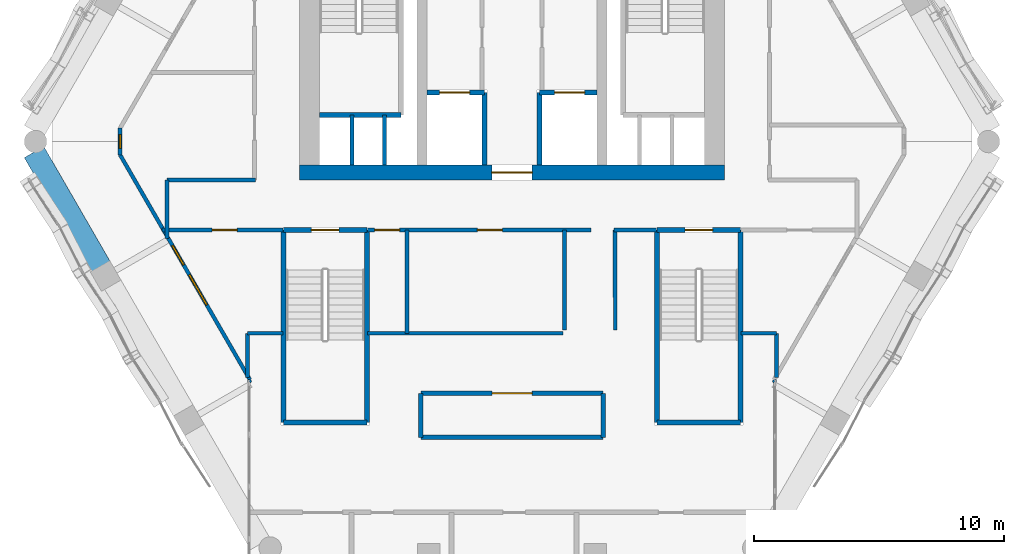
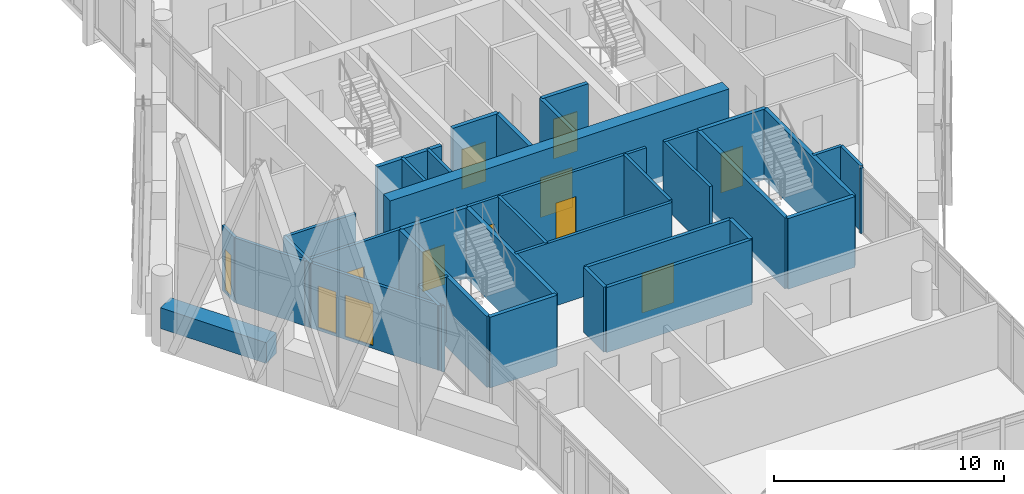
# One storey, part 29 of 37: 38 walls, 9 doors, 3 windows, 12 openings.
"""IFC4 building model written with IfcOpenShell, lengths in metres."""

from ifc_helpers import new_model, si_unit, direction, frame, frame_2d, origin, place, context, subcontext, project, spatial, rectangle, extrude, material, layer, layer_set, type_object, element, fill, save


model = new_model("IFC4")

# Units and contexts
model_context = context("Model", 3, precision=1e-05, world=origin(), true_north=direction((0.0, 1.0)))
body_context = subcontext(model_context, "Body", "Model", "MODEL_VIEW")
ifc_project = project(units=[si_unit("LENGTHUNIT", "METRE"), si_unit("AREAUNIT", "SQUARE_METRE"), si_unit("VOLUMEUNIT", "CUBIC_METRE"), si_unit("PLANEANGLEUNIT", "RADIAN"), si_unit("MASSUNIT", "GRAM", prefix="KILO")], contexts=[model_context])

# Site, building, storey
site_placement = place(None, origin())
site = spatial("IfcSite", under=ifc_project, at=site_placement, CompositionType="ELEMENT")
building_placement = place(site_placement, origin())
building = spatial("IfcBuilding", under=site, at=building_placement, Name="Ostrander Bayou Hotel Tower", CompositionType="ELEMENT")
storey_placement = place(building_placement, frame((0.0, 0.0, 225.75)))
storey = spatial("IfcBuildingStorey", under=building, at=storey_placement, Name="L56", CompositionType="ELEMENT", Elevation=225.75)

# Wall, opening, door
ifc_material_1 = material(Name="Concrete f'c 60 MPa", Category="concrete")
ifc_layer_1 = layer(ifc_material_1, 0.60009765625)
ifc_layer_set_1 = layer_set([ifc_layer_1], Name="CW10 core wall 600 mm f'c 60 MPa")
wall_type_1 = type_object("IfcWallType", Name="CW10 core wall 600 mm f'c 60 MPa", PredefinedType="SHEAR", material=ifc_layer_set_1)
wall_1_placement = place(storey_placement, frame((-8.5, -1.39990234375, -0.300048828125), z_axis=(0.0, 0.0, 1.0), x_axis=(1.0, 0.0, 0.0)))
wall_1 = element("IfcWall", 1, at=wall_1_placement, inside=storey, type_object=wall_type_1, Name="CW10 L56 S", PredefinedType="SHEAR", context=body_context, shape_type="SweptSolid", body=[
    extrude(rectangle(XDim=17.0, YDim=0.60009765625, at=frame_2d((8.5, 0.0))), origin(), (0.0, 0.0, 1.0), 3.75),
])
opening_1_placement = place(wall_1_placement, frame((7.699951171875, 0.0, 0.0)))
opening_1 = element("IfcOpeningElement", 2, at=opening_1_placement, cuts=wall_1, Name="Opening T55-005", PredefinedType="OPENING", context=body_context, shape_type="SweptSolid", body=[
    extrude(rectangle(XDim=1.60009765625, YDim=2.10009765625, at=frame_2d((0.800048828125, 1.050048828125))), frame((0.0, 0.300048828125, 0.0), z_axis=(0.0, -1.0, 0.0), x_axis=(1.0, 0.0, 0.0)), (0.0, 0.0, 1.0), 0.60009765625),
])
ifc_material_2 = material(Name="Timber door leaf", Category="wood")
door_type_1 = type_object("IfcDoorType", Name="D13 double door 1600 x 2100 mm, 1 hour", OperationType="SINGLE_SWING_LEFT", PredefinedType="DOOR", material=ifc_material_2)
door_1_placement = place(opening_1_placement, origin())
door_1 = element("IfcDoor", 3, at=door_1_placement, inside=storey, type_object=door_type_1, Name="dr:L56:005", OperationType="DOUBLE_DOOR_SINGLE_SWING", OverallHeight=2.10009765625, OverallWidth=1.60009765625, PredefinedType="DOOR", context=body_context, shape_type="SweptSolid", body=[
    extrude(rectangle(XDim=1.60009765625, YDim=2.10009765625, at=frame_2d((0.800048828125, 1.050048828125))), frame((0.0, 0.02490234375, 0.0), z_axis=(0.0, -1.0, 0.0), x_axis=(1.0, 0.0, 0.0)), (0.0, 0.0, 1.0), 0.050048828125),
])
fill(opening_1, door_1)

# Wall, openings, windows
ifc_material_3 = material(Name="Aluminium framed insulated wall", Category="aluminium")
ifc_layer_2 = layer(ifc_material_3, 0.14990234375)
ifc_layer_set_2 = layer_set([ifc_layer_2], Name="GW1 glass-line wall 150 mm")
wall_type_2 = type_object("IfcWallType", Name="GW1 glass-line wall 150 mm", PredefinedType="SOLIDWALL", material=ifc_layer_set_2)
wall_2_placement = place(storey_placement, frame((-15.67724609375, -0.6962890625, 0.0), z_axis=(0.0, 0.0, 1.0), x_axis=(0.49999822861, -0.866026426494, 0.0)))
wall_2 = element("IfcWall", 4, at=wall_2_placement, inside=storey, type_object=wall_type_2, Name="GW1 L56 SW 1", PredefinedType="SOLIDWALL", context=body_context, shape_type="SweptSolid", body=[
    extrude(rectangle(XDim=10.396484375, YDim=0.14990234375, at=frame_2d((5.1982421875, 0.0))), origin(), (0.0, 0.0, 1.0), 3.449951171875),
])
opening_2_placement = place(wall_2_placement, frame((4.182861328125, 0.0, 0.14990234375)))
opening_2 = element("IfcOpeningElement", 5, at=opening_2_placement, cuts=wall_2, Name="Opening W18", PredefinedType="OPENING", context=body_context, shape_type="SweptSolid", body=[
    extrude(rectangle(XDim=0.89990234375, YDim=2.199951171875, at=frame_2d((0.449951171875, 1.10009765625))), frame((0.0, 0.074951171875, 0.0), z_axis=(0.0, -1.0, 0.0), x_axis=(1.0, 0.0, 0.0)), (0.0, 0.0, 1.0), 0.14990234375),
])
opening_3_placement = place(wall_2_placement, frame((5.535888671875, 0.0, 0.14990234375)))
opening_3 = element("IfcOpeningElement", 6, at=opening_3_placement, cuts=wall_2, Name="Opening W14", PredefinedType="OPENING", context=body_context, shape_type="SweptSolid", body=[
    extrude(rectangle(XDim=1.39990234375, YDim=2.199951171875, at=frame_2d((0.699951171875, 1.10009765625))), frame((0.0, 0.074951171875, 0.0), z_axis=(0.0, -1.0, 0.0), x_axis=(1.0, 0.0, 0.0)), (0.0, 0.0, 1.0), 0.14990234375),
])
ifc_material_4 = material(Name="Aluminium and clear glass", Category="aluminium")
window_type_1 = type_object("IfcWindowType", Name="W14 fixed window 1400 mm, bath bay, zone 4", PartitioningType="SINGLE_PANEL", PredefinedType="WINDOW", material=ifc_material_4)
window_1_placement = place(opening_3_placement, origin())
window_1 = element("IfcWindow", 7, at=window_1_placement, inside=storey, type_object=window_type_1, Name="W14 L56 SW 1", OverallHeight=2.199951171875, OverallWidth=1.39990234375, PartitioningType="SINGLE_PANEL", PredefinedType="WINDOW", context=body_context, shape_type="SweptSolid", body=[
    extrude(rectangle(XDim=1.39990234375, YDim=2.199951171875, at=frame_2d((0.699951171875, 1.10009765625))), frame((0.0, 0.030029296875, 0.0), z_axis=(0.0, -1.0, 0.0), x_axis=(1.0, 0.0, 0.0)), (0.0, 0.0, 1.0), 0.06005859375),
])
fill(opening_3, window_1)
ifc_material_5 = material(Name="Aluminium and clear glass", Category="aluminium")
window_type_2 = type_object("IfcWindowType", Name="W18 window 900 mm, zone 4", PartitioningType="SINGLE_PANEL", PredefinedType="WINDOW", material=ifc_material_5)
window_2_placement = place(opening_2_placement, origin())
window_2 = element("IfcWindow", 8, at=window_2_placement, inside=storey, type_object=window_type_2, Name="W18 L56 SW 1", OverallHeight=2.199951171875, OverallWidth=0.89990234375, PartitioningType="SINGLE_PANEL", PredefinedType="WINDOW", context=body_context, shape_type="SweptSolid", body=[
    extrude(rectangle(XDim=0.89990234375, YDim=2.199951171875, at=frame_2d((0.449951171875, 1.10009765625))), frame((0.0, 0.030029296875, 0.0), z_axis=(0.0, -1.0, 0.0), x_axis=(1.0, 0.0, 0.0)), (0.0, 0.0, 1.0), 0.06005859375),
])
fill(opening_2, window_2)

# Wall, opening, window
wall_3_placement = place(storey_placement, frame((-15.67724609375, 0.368896484375, 0.0), z_axis=(0.0, 0.0, 1.0), x_axis=(0.0, -1.0, 0.0)))
wall_3 = element("IfcWall", 9, at=wall_3_placement, inside=storey, type_object=wall_type_2, Name="GW1 L56 corner 2", PredefinedType="SOLIDWALL", context=body_context, shape_type="SweptSolid", body=[
    extrude(rectangle(XDim=1.065185546875, YDim=0.14990234375, at=frame_2d((0.53271484375, 0.0))), origin(), (0.0, 0.0, 1.0), 3.449951171875),
])
opening_4_placement = place(wall_3_placement, frame((0.257568359375, 0.0, 0.14990234375)))
opening_4 = element("IfcOpeningElement", 10, at=opening_4_placement, cuts=wall_3, Name="Opening W19", PredefinedType="OPENING", context=body_context, shape_type="SweptSolid", body=[
    extrude(rectangle(XDim=0.550048828125, YDim=2.199951171875, at=frame_2d((0.27490234375, 1.10009765625))), frame((0.0, 0.074951171875, 0.0), z_axis=(0.0, -1.0, 0.0), x_axis=(1.0, 0.0, 0.0)), (0.0, 0.0, 1.0), 0.14990234375),
])
ifc_material_6 = material(Name="Aluminium and clear glass", Category="aluminium")
window_type_3 = type_object("IfcWindowType", Name="W19 corner window 550 mm", PartitioningType="SINGLE_PANEL", PredefinedType="WINDOW", material=ifc_material_6)
window_3_placement = place(opening_4_placement, origin())
window_3 = element("IfcWindow", 11, at=window_3_placement, inside=storey, type_object=window_type_3, Name="W19 L56 corner 2", OverallHeight=2.199951171875, OverallWidth=0.550048828125, PartitioningType="SINGLE_PANEL", PredefinedType="WINDOW", context=body_context, shape_type="SweptSolid", body=[
    extrude(rectangle(XDim=0.550048828125, YDim=2.199951171875, at=frame_2d((0.27490234375, 1.10009765625))), frame((0.0, 0.030029296875, 0.0), z_axis=(0.0, -1.0, 0.0), x_axis=(1.0, 0.0, 0.0)), (0.0, 0.0, 1.0), 0.06005859375),
])
fill(opening_4, window_3)

# Walls
for number, where, z_axis, x_axis, name in (
    (12, (-10.47900390625, -9.699951171875, 0.0), (0.0, 0.0, 1.0), (-0.338543167143, -0.940950861619, 0.0), "GW1 L56 bar joint 2"),
    (13, (10.47900390625, -9.699951171875, 0.0), (0.0, 0.0, 1.0), (0.338543167143, -0.940950861619, 0.0), "GW1 L56 bar joint 3"),
):
    element("IfcWall", number, at=place(storey_placement, frame(where, z_axis=z_axis, x_axis=x_axis)), inside=storey, type_object=wall_type_2, Name=name, PredefinedType="SOLIDWALL", context=body_context, shape_type="SweptSolid", body=[
        extrude(rectangle(XDim=0.09814453125, YDim=0.14990234375, at=frame_2d((0.049072265625, 0.0))), origin(), (0.0, 0.0, 1.0), 3.449951171875),
    ])
ifc_material_7 = material(Name="Limestone masonry", Category="masonry")
ifc_layer_3 = layer(ifc_material_7, 0.89990234375)
ifc_layer_set_3 = layer_set([ifc_layer_3], Name="PA2 limestone parapet 900 mm")
wall_type_3 = type_object("IfcWallType", Name="PA2 limestone parapet 900 mm", PredefinedType="PARAPET", material=ifc_layer_set_3)
wall_4_placement = place(storey_placement, frame((-19.11865234375, -0.585693359375, 0.0), z_axis=(0.0, 0.0, 1.0), x_axis=(0.500001430823, -0.866024577697, 0.0)))
element("IfcWall", 14, at=wall_4_placement, inside=storey, type_object=wall_type_3, Name="PA2 L56 SW-1", PredefinedType="PARAPET", context=body_context, shape_type="SweptSolid", body=[
    extrude(rectangle(XDim=5.302734375, YDim=0.89990234375, at=frame_2d((2.6513671875, 0.0))), origin(), (0.0, 0.0, 1.0), 1.10009765625),
])
ifc_material_8 = material(Name="Gypsum board partition", Category="finish")
ifc_layer_4 = layer(ifc_material_8, 0.175048828125)
ifc_layer_set_4 = layer_set([ifc_layer_4], Name="PT4 corridor wall 175 mm, 1 hour")
wall_type_4 = type_object("IfcWallType", Name="PT4 corridor wall 175 mm, 1 hour", PredefinedType="PARTITIONING", material=ifc_layer_set_4)
wall_5_placement = place(storey_placement, frame((-3.64990234375, -12.0, 0.0), z_axis=(0.0, 0.0, 1.0), x_axis=(1.0, 0.0, 0.0)))
element("IfcWall", 15, at=wall_5_placement, inside=storey, type_object=wall_type_4, Name="sw:L56:501", PredefinedType="PARTITIONING", context=body_context, shape_type="SweptSolid", body=[
    extrude(rectangle(XDim=7.2998046875, YDim=0.175048828125, at=frame_2d((3.64990234375, 0.0))), origin(), (0.0, 0.0, 1.0), 3.449951171875),
])

# Wall, opening, door
wall_6_placement = place(storey_placement, frame((-3.64990234375, -10.23291015625, 0.0), z_axis=(0.0, 0.0, 1.0), x_axis=(1.0, 0.0, 0.0)))
wall_6 = element("IfcWall", 16, at=wall_6_placement, inside=storey, type_object=wall_type_4, Name="sw:L56:502", PredefinedType="PARTITIONING", context=body_context, shape_type="SweptSolid", body=[
    extrude(rectangle(XDim=7.2998046875, YDim=0.175048828125, at=frame_2d((3.64990234375, 0.0))), origin(), (0.0, 0.0, 1.0), 3.449951171875),
])
opening_5_placement = place(wall_6_placement, frame((2.85009765625, 0.0, 0.0)))
opening_5 = element("IfcOpeningElement", 17, at=opening_5_placement, cuts=wall_6, Name="Opening T55-1200", PredefinedType="OPENING", context=body_context, shape_type="SweptSolid", body=[
    extrude(rectangle(XDim=1.60009765625, YDim=2.10009765625, at=frame_2d((0.800048828125, 1.050048828125))), frame((0.0, 0.08740234375, 0.0), z_axis=(0.0, -1.0, 0.0), x_axis=(1.0, 0.0, 0.0)), (0.0, 0.0, 1.0), 0.175048828125),
])
door_2_placement = place(opening_5_placement, origin())
door_2 = element("IfcDoor", 18, at=door_2_placement, inside=storey, type_object=door_type_1, Name="dr:L56:1200", OperationType="DOUBLE_DOOR_SINGLE_SWING", OverallHeight=2.10009765625, OverallWidth=1.60009765625, PredefinedType="DOOR", context=body_context, shape_type="SweptSolid", body=[
    extrude(rectangle(XDim=1.60009765625, YDim=2.10009765625, at=frame_2d((0.800048828125, 1.050048828125))), frame((0.0, 0.02490234375, 0.0), z_axis=(0.0, -1.0, 0.0), x_axis=(1.0, 0.0, 0.0)), (0.0, 0.0, 1.0), 0.050048828125),
])
fill(opening_5, door_2)

# Walls
for number, where, z_axis, x_axis, name in (
    (19, (-3.64990234375, -12.0, 0.0), (0.0, 0.0, 1.0), (0.0, 1.0, 0.0), "sw:L56:508"),
    (20, (3.64990234375, -12.0, 0.0), (0.0, 0.0, 1.0), (0.0, 1.0, 0.0), "sw:L56:509"),
):
    element("IfcWall", number, at=place(storey_placement, frame(where, z_axis=z_axis, x_axis=x_axis)), inside=storey, type_object=wall_type_4, Name=name, PredefinedType="PARTITIONING", context=body_context, shape_type="SweptSolid", body=[
        extrude(rectangle(XDim=1.7666015625, YDim=0.175048828125, at=frame_2d((0.88330078125, 0.0))), origin(), (0.0, 0.0, 1.0), 3.449951171875),
    ])

# Wall, opening, door
ifc_material_9 = material(Name="Masonry block", Category="masonry")
ifc_layer_5 = layer(ifc_material_9, 0.199951171875)
ifc_layer_set_5 = layer_set([ifc_layer_5], Name="PT6 lift shaft wall 200 mm masonry, 2 hour")
wall_type_5 = type_object("IfcWallType", Name="PT6 lift shaft wall 200 mm masonry, 2 hour", PredefinedType="PARTITIONING", material=ifc_layer_set_5)
wall_7_placement = place(storey_placement, frame((-3.39990234375, 1.800048828125, 0.0), z_axis=(0.0, 0.0, 1.0), x_axis=(1.0, 0.0, 0.0)))
wall_7 = element("IfcWall", 21, at=wall_7_placement, inside=storey, type_object=wall_type_5, Name="cs:L56:001", PredefinedType="PARTITIONING", context=body_context, shape_type="SweptSolid", body=[
    extrude(rectangle(XDim=2.2998046875, YDim=0.199951171875, at=frame_2d((1.14990234375, 0.0))), origin(), (0.0, 0.0, 1.0), 3.449951171875),
])
opening_6_placement = place(wall_7_placement, frame((0.5, 0.0, 0.0)))
opening_6 = element("IfcOpeningElement", 22, at=opening_6_placement, cuts=wall_7, Name="Opening T55-001", PredefinedType="OPENING", context=body_context, shape_type="SweptSolid", body=[
    extrude(rectangle(XDim=1.199951171875, YDim=2.10009765625, at=frame_2d((0.60009765625, 1.050048828125))), frame((0.0, 0.10009765625, 0.0), z_axis=(0.0, -1.0, 0.0), x_axis=(1.0, 0.0, 0.0)), (0.0, 0.0, 1.0), 0.199951171875),
])
ifc_material_10 = material(Name="Stainless steel sliding door", Category="steel")
door_type_2 = type_object("IfcDoorType", Name="LD1 lift landing door 1200 x 2100 mm", OperationType="SINGLE_SWING_LEFT", PredefinedType="DOOR", material=ifc_material_10)
door_3_placement = place(opening_6_placement, origin())
door_3 = element("IfcDoor", 23, at=door_3_placement, inside=storey, type_object=door_type_2, Name="dr:L56:001", OperationType="SLIDING_TO_LEFT", OverallHeight=2.10009765625, OverallWidth=1.199951171875, PredefinedType="DOOR", context=body_context, shape_type="SweptSolid", body=[
    extrude(rectangle(XDim=1.199951171875, YDim=2.10009765625, at=frame_2d((0.60009765625, 1.050048828125))), frame((0.0, 0.02490234375, 0.0), z_axis=(0.0, -1.0, 0.0), x_axis=(1.0, 0.0, 0.0)), (0.0, 0.0, 1.0), 0.050048828125),
])
fill(opening_6, door_3)

wall_8_placement = place(storey_placement, frame((1.10009765625, 1.800048828125, 0.0), z_axis=(0.0, 0.0, 1.0), x_axis=(1.0, 0.0, 0.0)))
wall_8 = element("IfcWall", 24, at=wall_8_placement, inside=storey, type_object=wall_type_5, Name="cs:L56:003", PredefinedType="PARTITIONING", context=body_context, shape_type="SweptSolid", body=[
    extrude(rectangle(XDim=2.2998046875, YDim=0.199951171875, at=frame_2d((1.14990234375, 0.0))), origin(), (0.0, 0.0, 1.0), 3.449951171875),
])
opening_7_placement = place(wall_8_placement, frame((0.60009765625, 0.0, 0.0)))
opening_7 = element("IfcOpeningElement", 25, at=opening_7_placement, cuts=wall_8, Name="Opening T55-002", PredefinedType="OPENING", context=body_context, shape_type="SweptSolid", body=[
    extrude(rectangle(XDim=1.199951171875, YDim=2.10009765625, at=frame_2d((0.60009765625, 1.050048828125))), frame((0.0, 0.10009765625, 0.0), z_axis=(0.0, -1.0, 0.0), x_axis=(1.0, 0.0, 0.0)), (0.0, 0.0, 1.0), 0.199951171875),
])
door_4_placement = place(opening_7_placement, origin())
door_4 = element("IfcDoor", 26, at=door_4_placement, inside=storey, type_object=door_type_2, Name="dr:L56:002", OperationType="SLIDING_TO_LEFT", OverallHeight=2.10009765625, OverallWidth=1.199951171875, PredefinedType="DOOR", context=body_context, shape_type="SweptSolid", body=[
    extrude(rectangle(XDim=1.199951171875, YDim=2.10009765625, at=frame_2d((0.60009765625, 1.050048828125))), frame((0.0, 0.02490234375, 0.0), z_axis=(0.0, -1.0, 0.0), x_axis=(1.0, 0.0, 0.0)), (0.0, 0.0, 1.0), 0.050048828125),
])
fill(opening_7, door_4)

# Walls
for number, where, z_axis, x_axis, name in (
    (27, (-1.10009765625, -1.10009765625, 0.0), (0.0, 0.0, 1.0), (0.0, 1.0, 0.0), "cs:L56:005"),
    (28, (1.10009765625, -1.10009765625, 0.0), (0.0, 0.0, 1.0), (0.0, 1.0, 0.0), "cs:L56:006"),
):
    element("IfcWall", number, at=place(storey_placement, frame(where, z_axis=z_axis, x_axis=x_axis)), inside=storey, type_object=wall_type_5, Name=name, PredefinedType="PARTITIONING", context=body_context, shape_type="SweptSolid", body=[
        extrude(rectangle(XDim=2.900146484375, YDim=0.199951171875, at=frame_2d((1.4501953125, 0.0))), origin(), (0.0, 0.0, 1.0), 3.449951171875),
    ])
ifc_material_11 = material(Name="Gypsum board partition", Category="finish")
ifc_layer_6 = layer(ifc_material_11, 0.14990234375)
ifc_layer_set_6 = layer_set([ifc_layer_6], Name="PT7 riser wall 150 mm, 2 hour")
wall_type_6 = type_object("IfcWallType", Name="PT7 riser wall 150 mm, 2 hour", PredefinedType="PARTITIONING", material=ifc_layer_set_6)
for number, where, z_axis, x_axis, name in (
    (29, (-6.39990234375, -1.10009765625, 0.0), (0.0, 0.0, 1.0), (0.0, 1.0, 0.0), "cs:L56:011"),
    (30, (-5.10009765625, -1.10009765625, 0.0), (0.0, 0.0, 1.0), (0.0, 1.0, 0.0), "cs:L56:012"),
):
    element("IfcWall", number, at=place(storey_placement, frame(where, z_axis=z_axis, x_axis=x_axis)), inside=storey, type_object=wall_type_6, Name=name, PredefinedType="PARTITIONING", context=body_context, shape_type="SweptSolid", body=[
        extrude(rectangle(XDim=2.0, YDim=0.14990234375, at=frame_2d((1.0, 0.0))), origin(), (0.0, 0.0, 1.0), 3.449951171875),
    ])
ifc_material_12 = material(Name="Gypsum board partition", Category="finish")
ifc_layer_7 = layer(ifc_material_12, 0.14990234375)
ifc_layer_set_7 = layer_set([ifc_layer_7], Name="PT8 service band wall 150 mm, 1 hour")
wall_type_7 = type_object("IfcWallType", Name="PT8 service band wall 150 mm, 1 hour", PredefinedType="PARTITIONING", material=ifc_layer_set_7)
wall_9_placement = place(storey_placement, frame((-10.5849609375, -7.8349609375, 0.0), z_axis=(0.0, 0.0, 1.0), x_axis=(1.0, 0.0, 0.0)))
element("IfcWall", 31, at=wall_9_placement, inside=storey, type_object=wall_type_7, Name="gw:L56:001", PredefinedType="PARTITIONING", context=body_context, shape_type="SweptSolid", body=[
    extrude(rectangle(XDim=1.425048828125, YDim=0.14990234375, at=frame_2d((0.71240234375, 0.0))), origin(), (0.0, 0.0, 1.0), 3.449951171875),
])
wall_10_placement = place(storey_placement, frame((-5.7900390625, -7.8349609375, 0.0), z_axis=(0.0, 0.0, 1.0), x_axis=(1.0, 0.0, 0.0)))
element("IfcWall", 32, at=wall_10_placement, inside=storey, type_object=wall_type_7, Name="gw:L56:002", PredefinedType="PARTITIONING", context=body_context, shape_type="SweptSolid", body=[
    extrude(rectangle(XDim=7.840087890625, YDim=0.14990234375, at=frame_2d((3.919921875, 0.0))), origin(), (0.0, 0.0, 1.0), 3.449951171875),
])
wall_11_placement = place(storey_placement, frame((9.159912109375, -7.8349609375, 0.0), z_axis=(0.0, 0.0, 1.0), x_axis=(1.0, 0.0, 0.0)))
element("IfcWall", 33, at=wall_11_placement, inside=storey, type_object=wall_type_7, Name="gw:L56:003", PredefinedType="PARTITIONING", context=body_context, shape_type="SweptSolid", body=[
    extrude(rectangle(XDim=1.425048828125, YDim=0.14990234375, at=frame_2d((0.71240234375, 0.0))), origin(), (0.0, 0.0, 1.0), 3.449951171875),
])

# Wall, opening, door
wall_12_placement = place(storey_placement, frame((-13.9951171875, -3.699951171875, 0.0), z_axis=(0.0, 0.0, 1.0), x_axis=(1.0, 0.0, 0.0)))
wall_12 = element("IfcWall", 34, at=wall_12_placement, inside=storey, type_object=wall_type_7, Name="gw:L56:004", PredefinedType="PARTITIONING", context=body_context, shape_type="SweptSolid", body=[
    extrude(rectangle(XDim=4.835205078125, YDim=0.14990234375, at=frame_2d((2.41748046875, 0.0))), origin(), (0.0, 0.0, 1.0), 3.449951171875),
])
opening_8_placement = place(wall_12_placement, frame((1.9951171875, 0.0, 0.0)))
opening_8 = element("IfcOpeningElement", 35, at=opening_8_placement, cuts=wall_12, Name="Opening T55-402", PredefinedType="OPENING", context=body_context, shape_type="SweptSolid", body=[
    extrude(rectangle(XDim=1.0, YDim=2.10009765625, at=frame_2d((0.5, 1.050048828125))), frame((0.0, 0.074951171875, 0.0), z_axis=(0.0, -1.0, 0.0), x_axis=(1.0, 0.0, 0.0)), (0.0, 0.0, 1.0), 0.14990234375),
])
ifc_material_13 = material(Name="Timber door leaf", Category="wood")
door_type_3 = type_object("IfcDoorType", Name="D9 service door 1000 x 2100 mm, 30 minute", OperationType="SINGLE_SWING_LEFT", PredefinedType="DOOR", material=ifc_material_13)
door_5_placement = place(opening_8_placement, origin())
door_5 = element("IfcDoor", 36, at=door_5_placement, inside=storey, type_object=door_type_3, Name="dr:L56:402", OperationType="SINGLE_SWING_RIGHT", OverallHeight=2.10009765625, OverallWidth=1.0, PredefinedType="DOOR", context=body_context, shape_type="SweptSolid", body=[
    extrude(rectangle(XDim=1.0, YDim=2.10009765625, at=frame_2d((0.5, 1.050048828125))), frame((0.0, 0.02490234375, 0.0), z_axis=(0.0, -1.0, 0.0), x_axis=(1.0, 0.0, 0.0)), (0.0, 0.0, 1.0), 0.050048828125),
])
fill(opening_8, door_5)

# Wall, openings, doors
wall_13_placement = place(storey_placement, frame((-5.7900390625, -3.699951171875, 0.0), z_axis=(0.0, 0.0, 1.0), x_axis=(1.0, 0.0, 0.0)))
wall_13 = element("IfcWall", 37, at=wall_13_placement, inside=storey, type_object=wall_type_7, Name="gw:L56:005", PredefinedType="PARTITIONING", context=body_context, shape_type="SweptSolid", body=[
    extrude(rectangle(XDim=8.945068359375, YDim=0.14990234375, at=frame_2d((4.47265625, 0.0))), origin(), (0.0, 0.0, 1.0), 3.449951171875),
])
opening_9_placement = place(wall_13_placement, frame((4.409912109375, 0.0, 0.0)))
opening_9 = element("IfcOpeningElement", 38, at=opening_9_placement, cuts=wall_13, Name="Opening T55-400", PredefinedType="OPENING", context=body_context, shape_type="SweptSolid", body=[
    extrude(rectangle(XDim=1.0, YDim=2.10009765625, at=frame_2d((0.5, 1.050048828125))), frame((0.0, 0.074951171875, 0.0), z_axis=(0.0, -1.0, 0.0), x_axis=(1.0, 0.0, 0.0)), (0.0, 0.0, 1.0), 0.14990234375),
])
opening_10_placement = place(wall_13_placement, frame((0.2900390625, 0.0, 0.0)))
opening_10 = element("IfcOpeningElement", 39, at=opening_10_placement, cuts=wall_13, Name="Opening T55-401", PredefinedType="OPENING", context=body_context, shape_type="SweptSolid", body=[
    extrude(rectangle(XDim=1.0, YDim=2.10009765625, at=frame_2d((0.5, 1.050048828125))), frame((0.0, 0.074951171875, 0.0), z_axis=(0.0, -1.0, 0.0), x_axis=(1.0, 0.0, 0.0)), (0.0, 0.0, 1.0), 0.14990234375),
])
ifc_material_14 = material(Name="Timber door leaf", Category="wood")
door_type_4 = type_object("IfcDoorType", Name="D15 room door 1000 x 2100 mm", OperationType="SINGLE_SWING_LEFT", PredefinedType="DOOR", material=ifc_material_14)
door_6_placement = place(opening_9_placement, origin())
door_6 = element("IfcDoor", 40, at=door_6_placement, inside=storey, type_object=door_type_4, Name="dr:L56:400", OperationType="SINGLE_SWING_LEFT", OverallHeight=2.10009765625, OverallWidth=1.0, PredefinedType="DOOR", context=body_context, shape_type="SweptSolid", body=[
    extrude(rectangle(XDim=1.0, YDim=2.10009765625, at=frame_2d((0.5, 1.050048828125))), frame((0.0, 0.02490234375, 0.0), z_axis=(0.0, -1.0, 0.0), x_axis=(1.0, 0.0, 0.0)), (0.0, 0.0, 1.0), 0.050048828125),
])
fill(opening_9, door_6)
door_7_placement = place(opening_10_placement, origin())
door_7 = element("IfcDoor", 41, at=door_7_placement, inside=storey, type_object=door_type_3, Name="dr:L56:401", OperationType="SINGLE_SWING_RIGHT", OverallHeight=2.10009765625, OverallWidth=1.0, PredefinedType="DOOR", context=body_context, shape_type="SweptSolid", body=[
    extrude(rectangle(XDim=1.0, YDim=2.10009765625, at=frame_2d((0.5, 1.050048828125))), frame((0.0, 0.02490234375, 0.0), z_axis=(0.0, -1.0, 0.0), x_axis=(1.0, 0.0, 0.0)), (0.0, 0.0, 1.0), 0.050048828125),
])
fill(opening_10, door_7)

# Walls
wall_14_placement = place(storey_placement, frame((4.074951171875, -3.699951171875, 0.0), z_axis=(0.0, 0.0, 1.0), x_axis=(1.0, 0.0, 0.0)))
element("IfcWall", 42, at=wall_14_placement, inside=storey, type_object=wall_type_7, Name="gw:L56:006", PredefinedType="PARTITIONING", context=body_context, shape_type="SweptSolid", body=[
    extrude(rectangle(XDim=1.715087890625, YDim=0.14990234375, at=frame_2d((0.857421875, 0.0))), origin(), (0.0, 0.0, 1.0), 3.449951171875),
])
wall_15_placement = place(storey_placement, frame((-13.800048828125, -1.699951171875, 0.0), z_axis=(0.0, 0.0, 1.0), x_axis=(1.0, 0.0, 0.0)))
element("IfcWall", 43, at=wall_15_placement, inside=storey, type_object=wall_type_7, Name="gw:L56:008", PredefinedType="PARTITIONING", context=body_context, shape_type="SweptSolid", body=[
    extrude(rectangle(XDim=3.5400390625, YDim=0.14990234375, at=frame_2d((1.77001953125, 0.0))), origin(), (0.0, 0.0, 1.0), 3.449951171875),
])
wall_16_placement = place(storey_placement, frame((10.5849609375, -9.60595703125, 0.0), z_axis=(0.0, 0.0, 1.0), x_axis=(0.0, 1.0, 0.0)))
element("IfcWall", 44, at=wall_16_placement, inside=storey, type_object=wall_type_7, Name="gw:L56:015", PredefinedType="PARTITIONING", context=body_context, shape_type="SweptSolid", body=[
    extrude(rectangle(XDim=1.77099609375, YDim=0.14990234375, at=frame_2d((0.885498046875, 0.0))), origin(), (0.0, 0.0, 1.0), 3.449951171875),
])
wall_17_placement = place(storey_placement, frame((2.10009765625, -7.699951171875, 0.0), z_axis=(0.0, 0.0, 1.0), x_axis=(0.0, 1.0, 0.0)))
element("IfcWall", 45, at=wall_17_placement, inside=storey, type_object=wall_type_7, Name="gw:L56:018", PredefinedType="PARTITIONING", context=body_context, shape_type="SweptSolid", body=[
    extrude(rectangle(XDim=4.0, YDim=0.14990234375, at=frame_2d((2.0, 0.0))), origin(), (0.0, 0.0, 1.0), 3.449951171875),
])
wall_18_placement = place(storey_placement, frame((-4.199951171875, -7.8349609375, 0.0), z_axis=(0.0, 0.0, 1.0), x_axis=(0.0, 1.0, 0.0)))
element("IfcWall", 46, at=wall_18_placement, inside=storey, type_object=wall_type_7, Name="gw:L56:019", PredefinedType="PARTITIONING", context=body_context, shape_type="SweptSolid", body=[
    extrude(rectangle(XDim=4.135009765625, YDim=0.14990234375, at=frame_2d((2.0673828125, 0.0))), origin(), (0.0, 0.0, 1.0), 3.449951171875),
])
wall_19_placement = place(storey_placement, frame((-10.5849609375, -9.60595703125, 0.0), z_axis=(0.0, 0.0, 1.0), x_axis=(0.0, 1.0, 0.0)))
element("IfcWall", 47, at=wall_19_placement, inside=storey, type_object=wall_type_7, Name="gw:L56:021", PredefinedType="PARTITIONING", context=body_context, shape_type="SweptSolid", body=[
    extrude(rectangle(XDim=1.77099609375, YDim=0.14990234375, at=frame_2d((0.885498046875, 0.0))), origin(), (0.0, 0.0, 1.0), 3.449951171875),
])
wall_20_placement = place(storey_placement, frame((-13.800048828125, -4.0380859375, 0.0), z_axis=(0.0, 0.0, 1.0), x_axis=(0.0, 1.0, 0.0)))
element("IfcWall", 48, at=wall_20_placement, inside=storey, type_object=wall_type_7, Name="gw:L56:023", PredefinedType="PARTITIONING", context=body_context, shape_type="SweptSolid", body=[
    extrude(rectangle(XDim=2.338134765625, YDim=0.14990234375, at=frame_2d((1.1689453125, 0.0))), origin(), (0.0, 0.0, 1.0), 3.449951171875),
])
wall_21_placement = place(storey_placement, frame((4.1298828125, -7.695068359375, 0.0), z_axis=(0.0, 0.0, 1.0), x_axis=(-0.003727669041, 0.999993052218, 0.0)))
element("IfcWall", 49, at=wall_21_placement, inside=storey, type_object=wall_type_7, Name="gw:L56:024", PredefinedType="PARTITIONING", context=body_context, shape_type="SweptSolid", body=[
    extrude(rectangle(XDim=3.9951171875, YDim=0.14990234375, at=frame_2d((1.99755859375, 0.0))), origin(), (0.0, 0.0, 1.0), 3.449951171875),
])
ifc_material_15 = material(Name="Concrete f'c 45 MPa", Category="concrete")
ifc_layer_8 = layer(ifc_material_15, 0.199951171875)
ifc_layer_set_8 = layer_set([ifc_layer_8], Name="SW5 stair enclosure wall 200 mm f'c 45 MPa")
wall_type_8 = type_object("IfcWallType", Name="SW5 stair enclosure wall 200 mm f'c 45 MPa", PredefinedType="SOLIDWALL", material=ifc_layer_set_8)
wall_22_placement = place(storey_placement, frame((-7.699951171875, 0.89990234375, -0.300048828125), z_axis=(0.0, 0.0, 1.0), x_axis=(1.0, 0.0, 0.0)))
element("IfcWall", 50, at=wall_22_placement, inside=storey, type_object=wall_type_8, Name="cs:L56:010", PredefinedType="SOLIDWALL", context=body_context, shape_type="SweptSolid", body=[
    extrude(rectangle(XDim=3.25, YDim=0.199951171875, at=frame_2d((1.625, 0.0))), origin(), (0.0, 0.0, 1.0), 3.75),
])

# Wall, opening, door
wall_23_placement = place(storey_placement, frame((5.800048828125, -3.699951171875, -0.300048828125), z_axis=(0.0, 0.0, 1.0), x_axis=(1.0, 0.0, 0.0)))
wall_23 = element("IfcWall", 51, at=wall_23_placement, inside=storey, type_object=wall_type_8, Name="cs:L56:017", PredefinedType="SOLIDWALL", context=body_context, shape_type="SweptSolid", body=[
    extrude(rectangle(XDim=3.349853515625, YDim=0.199951171875, at=frame_2d((1.6748046875, 0.0))), origin(), (0.0, 0.0, 1.0), 3.75),
])
opening_11_placement = place(wall_23_placement, frame((1.125, 0.0, 0.0)))
opening_11 = element("IfcOpeningElement", 52, at=opening_11_placement, cuts=wall_23, Name="Opening T55-011", PredefinedType="OPENING", context=body_context, shape_type="SweptSolid", body=[
    extrude(rectangle(XDim=1.10009765625, YDim=2.10009765625, at=frame_2d((0.550048828125, 1.050048828125))), frame((0.0, 0.10009765625, 0.0), z_axis=(0.0, -1.0, 0.0), x_axis=(1.0, 0.0, 0.0)), (0.0, 0.0, 1.0), 0.199951171875),
])
ifc_material_16 = material(Name="Timber door leaf", Category="wood")
door_type_5 = type_object("IfcDoorType", Name="D5 stair door 1100 x 2100 mm, 90 minute", OperationType="SINGLE_SWING_LEFT", PredefinedType="DOOR", material=ifc_material_16)
door_8_placement = place(opening_11_placement, origin())
door_8 = element("IfcDoor", 53, at=door_8_placement, inside=storey, type_object=door_type_5, Name="dr:L56:011", OperationType="SINGLE_SWING_LEFT", OverallHeight=2.10009765625, OverallWidth=1.10009765625, PredefinedType="DOOR", context=body_context, shape_type="SweptSolid", body=[
    extrude(rectangle(XDim=1.10009765625, YDim=2.10009765625, at=frame_2d((0.550048828125, 1.050048828125))), frame((0.0, 0.02490234375, 0.0), z_axis=(0.0, -1.0, 0.0), x_axis=(1.0, 0.0, 0.0)), (0.0, 0.0, 1.0), 0.050048828125),
])
fill(opening_11, door_8)

# Walls
for number, where, z_axis, x_axis, name in (
    (54, (5.800048828125, -3.699951171875, -0.300048828125), (0.0, 0.0, 1.0), (0.0, -1.0, 0.0), "cs:L56:018"),
    (55, (9.14990234375, -3.699951171875, -0.300048828125), (0.0, 0.0, 1.0), (0.0, -1.0, 0.0), "cs:L56:019"),
):
    element("IfcWall", number, at=place(storey_placement, frame(where, z_axis=z_axis, x_axis=x_axis)), inside=storey, type_object=wall_type_8, Name=name, PredefinedType="SOLIDWALL", context=body_context, shape_type="SweptSolid", body=[
        extrude(rectangle(XDim=7.699951171875, YDim=0.199951171875, at=frame_2d((3.85009765625, 0.0))), origin(), (0.0, 0.0, 1.0), 3.75),
    ])
wall_24_placement = place(storey_placement, frame((5.800048828125, -11.39990234375, -0.300048828125), z_axis=(0.0, 0.0, 1.0), x_axis=(1.0, 0.0, 0.0)))
element("IfcWall", 56, at=wall_24_placement, inside=storey, type_object=wall_type_8, Name="cs:L56:020", PredefinedType="SOLIDWALL", context=body_context, shape_type="SweptSolid", body=[
    extrude(rectangle(XDim=3.349853515625, YDim=0.199951171875, at=frame_2d((1.6748046875, 0.0))), origin(), (0.0, 0.0, 1.0), 3.75),
])

# Wall, opening, door
wall_25_placement = place(storey_placement, frame((-9.14990234375, -3.699951171875, -0.300048828125), z_axis=(0.0, 0.0, 1.0), x_axis=(1.0, 0.0, 0.0)))
wall_25 = element("IfcWall", 57, at=wall_25_placement, inside=storey, type_object=wall_type_8, Name="cs:L56:021", PredefinedType="SOLIDWALL", context=body_context, shape_type="SweptSolid", body=[
    extrude(rectangle(XDim=3.349853515625, YDim=0.199951171875, at=frame_2d((1.6748046875, 0.0))), origin(), (0.0, 0.0, 1.0), 3.75),
])
opening_12_placement = place(wall_25_placement, frame((1.125, 0.0, 0.0)))
opening_12 = element("IfcOpeningElement", 58, at=opening_12_placement, cuts=wall_25, Name="Opening T55-012", PredefinedType="OPENING", context=body_context, shape_type="SweptSolid", body=[
    extrude(rectangle(XDim=1.10009765625, YDim=2.10009765625, at=frame_2d((0.550048828125, 1.050048828125))), frame((0.0, 0.10009765625, 0.0), z_axis=(0.0, -1.0, 0.0), x_axis=(1.0, 0.0, 0.0)), (0.0, 0.0, 1.0), 0.199951171875),
])
door_9_placement = place(opening_12_placement, origin())
door_9 = element("IfcDoor", 59, at=door_9_placement, inside=storey, type_object=door_type_5, Name="dr:L56:012", OperationType="SINGLE_SWING_LEFT", OverallHeight=2.10009765625, OverallWidth=1.10009765625, PredefinedType="DOOR", context=body_context, shape_type="SweptSolid", body=[
    extrude(rectangle(XDim=1.10009765625, YDim=2.10009765625, at=frame_2d((0.550048828125, 1.050048828125))), frame((0.0, 0.02490234375, 0.0), z_axis=(0.0, -1.0, 0.0), x_axis=(1.0, 0.0, 0.0)), (0.0, 0.0, 1.0), 0.050048828125),
])
fill(opening_12, door_9)

# Walls
for number, where, z_axis, x_axis, name in (
    (60, (-9.14990234375, -3.699951171875, -0.300048828125), (0.0, 0.0, 1.0), (0.0, -1.0, 0.0), "cs:L56:022"),
    (61, (-5.800048828125, -3.699951171875, -0.300048828125), (0.0, 0.0, 1.0), (0.0, -1.0, 0.0), "cs:L56:023"),
):
    element("IfcWall", number, at=place(storey_placement, frame(where, z_axis=z_axis, x_axis=x_axis)), inside=storey, type_object=wall_type_8, Name=name, PredefinedType="SOLIDWALL", context=body_context, shape_type="SweptSolid", body=[
        extrude(rectangle(XDim=7.699951171875, YDim=0.199951171875, at=frame_2d((3.85009765625, 0.0))), origin(), (0.0, 0.0, 1.0), 3.75),
    ])
wall_26_placement = place(storey_placement, frame((-9.14990234375, -11.39990234375, -0.300048828125), z_axis=(0.0, 0.0, 1.0), x_axis=(1.0, 0.0, 0.0)))
element("IfcWall", 62, at=wall_26_placement, inside=storey, type_object=wall_type_8, Name="cs:L56:024", PredefinedType="SOLIDWALL", context=body_context, shape_type="SweptSolid", body=[
    extrude(rectangle(XDim=3.349853515625, YDim=0.199951171875, at=frame_2d((1.6748046875, 0.0))), origin(), (0.0, 0.0, 1.0), 3.75),
])

save(model, "model.ifc")
